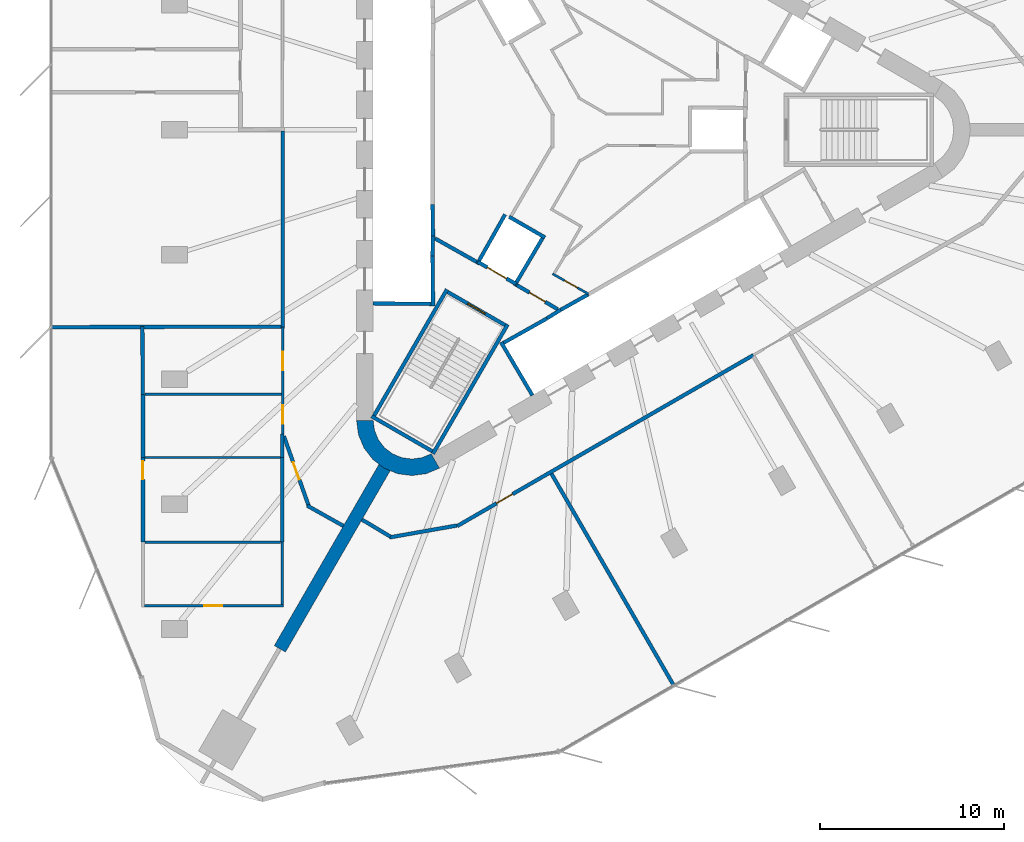
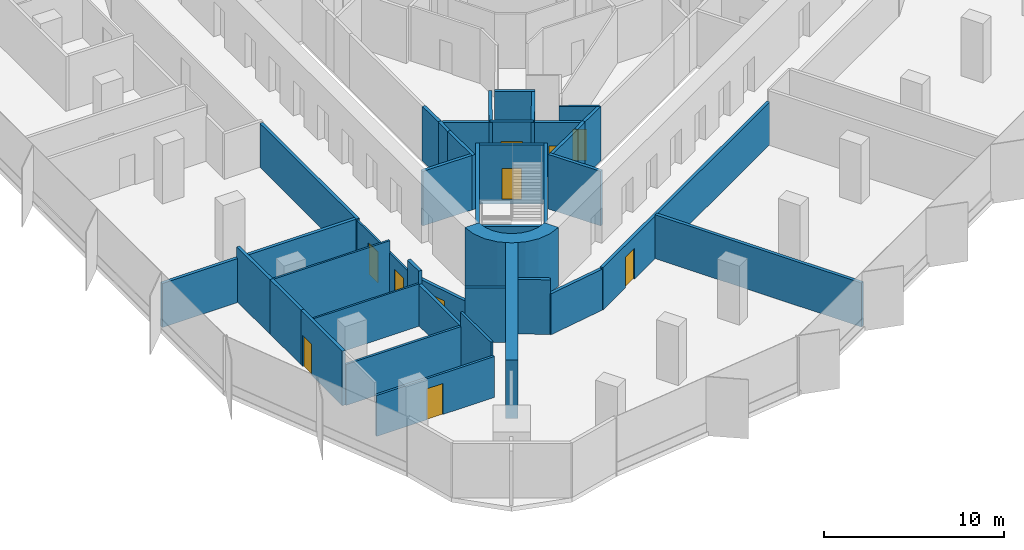
# One storey, part 8 of 14: 40 walls, 10 doors, 10 openings.
"""IFC4 building model written with IfcOpenShell, lengths in metres."""

from ifc_helpers import new_model, si_unit, direction, frame, frame_2d, origin, place, context, subcontext, project, spatial, polyline, rectangle, outline, extrude, material, layer, layer_set, type_object, element, fill, save


model = new_model("IFC4")

# Units and contexts
model_context = context("Model", 3, precision=1e-05, world=origin(), true_north=direction((0.0, 1.0)))
body_context = subcontext(model_context, "Body", "Model", "MODEL_VIEW")
ifc_project = project(units=[si_unit("LENGTHUNIT", "METRE"), si_unit("AREAUNIT", "SQUARE_METRE"), si_unit("VOLUMEUNIT", "CUBIC_METRE"), si_unit("PLANEANGLEUNIT", "RADIAN"), si_unit("MASSUNIT", "GRAM", prefix="KILO")], contexts=[model_context])

# Site, building, storey
site_placement = place(None, origin())
site = spatial("IfcSite", under=ifc_project, at=site_placement, CompositionType="ELEMENT")
building_placement = place(site_placement, origin())
building = spatial("IfcBuilding", under=site, at=building_placement, Name="Tanit Gate Tower", CompositionType="ELEMENT")
storey_placement = place(building_placement, frame((0.0, 0.0, 237.199951171875)))
storey = spatial("IfcBuildingStorey", under=building, at=storey_placement, Name="L53", CompositionType="ELEMENT", Elevation=237.199951171875)

# Walls
ifc_material_1 = material(Name="Concrete C50/60", Category="concrete")
ifc_layer_1 = layer(ifc_material_1, 0.699951171875)
ifc_layer_set_1 = layer_set([ifc_layer_1], Name="BUTTRESS FIN 700 C50/60")
wall_type_1 = type_object("IfcWallType", Name="BUTTRESS FIN 700 C50/60", PredefinedType="SHEAR", material=ifc_layer_set_1)
wall_1_placement = place(storey_placement, frame((-10.574951171875, -18.31640625, 0.0), z_axis=(0.0, 0.0, 1.0), x_axis=(-0.499996344484, -0.866027514288, 0.0)))
element("IfcWall", 1, at=wall_1_placement, inside=storey, type_object=wall_type_1, Name="BUTTRESS FIN", PredefinedType="SHEAR", context=body_context, shape_type="SweptSolid", body=[
    extrude(rectangle(XDim=11.3681640625, YDim=0.699951171875, at=frame_2d((5.68408203125, 0.0))), origin(), (0.0, 0.0, 1.0), 4.0),
])
ifc_material_2 = material(Name="Concrete C50/60", Category="concrete")
ifc_layer_2 = layer(ifc_material_2, 0.89990234375)
ifc_layer_set_2 = layer_set([ifc_layer_2], Name="CORE WALL 900 C50/60")
wall_type_2 = type_object("IfcWallType", Name="CORE WALL 900 C50/60", PredefinedType="SHEAR", material=ifc_layer_set_2)
wall_2_placement = place(storey_placement, origin())
element("IfcWall", 2, at=wall_2_placement, inside=storey, type_object=wall_type_2, Name="CORE WALL CORNER", PredefinedType="SHEAR", context=body_context, shape_type="SweptSolid", body=[
    extrude(outline(polyline([(-12.10009765625, -15.76171875), (-11.997802734375, -16.5380859375), (-11.697998046875, -17.26171875), (-11.22119140625, -17.883056640625), (-10.60009765625, -18.359619140625), (-9.87646484375, -18.659423828125), (-9.10009765625, -18.76171875), (-8.323486328125, -18.659423828125), (-7.60009765625, -18.359619140625), (-8.050048828125, -17.580322265625), (-8.556396484375, -17.7900390625), (-9.10009765625, -17.86181640625), (-9.6435546875, -17.7900390625), (-10.14990234375, -17.580322265625), (-10.5849609375, -17.24658203125), (-10.918701171875, -16.811767578125), (-11.12841796875, -16.30517578125), (-11.199951171875, -15.76171875), (-12.10009765625, -15.76171875)])), origin(), (0.0, 0.0, 1.0), 4.0),
])
ifc_material_3 = material(Name="Fire-rated gypsum board partition")
ifc_layer_3 = layer(ifc_material_3, 0.199951171875)
ifc_layer_set_3 = layer_set([ifc_layer_3], Name="INT-WALL-COMPARTMENT")
wall_type_3 = type_object("IfcWallType", Name="INT-WALL-COMPARTMENT", PredefinedType="PARTITIONING", material=ifc_layer_set_3)
wall_3_placement = place(storey_placement, frame((-7.84912109375, -5.893798828125, 0.0), z_axis=(0.0, 0.0, 1.0), x_axis=(0.871340486379, -0.490678873396, 0.0)))
element("IfcWall", 3, at=wall_3_placement, inside=storey, type_object=wall_type_3, Name="Wall Compartment W065", PredefinedType="PARTITIONING", context=body_context, shape_type="SweptSolid", body=[
    extrude(rectangle(XDim=2.580810546875, YDim=0.199951171875, at=frame_2d((1.29052734375, 0.0))), origin(), (0.0, 0.0, 1.0), 3.699951171875),
])

# Wall, opening, door
wall_4_placement = place(storey_placement, frame((-3.400634765625, -8.43017578125, 0.0), z_axis=(0.0, 0.0, 1.0), x_axis=(0.860598681535, -0.509283721849, 0.0)))
wall_4 = element("IfcWall", 4, at=wall_4_placement, inside=storey, type_object=wall_type_3, Name="Wall Compartment W066", PredefinedType="PARTITIONING", context=body_context, shape_type="SweptSolid", body=[
    extrude(rectangle(XDim=2.5810546875, YDim=0.199951171875, at=frame_2d((1.29052734375, 0.0))), origin(), (0.0, 0.0, 1.0), 3.699951171875),
])
opening_1_placement = place(wall_4_placement, frame((0.79052734375, 0.0, 0.0)))
opening_1 = element("IfcOpeningElement", 5, at=opening_1_placement, cuts=wall_4, Name="Opening F10-S14-08", PredefinedType="OPENING", context=body_context, shape_type="SweptSolid", body=[
    extrude(rectangle(XDim=1.0, YDim=2.10009765625, at=frame_2d((0.5, 1.050048828125))), frame((0.0, 0.10986328125, 0.0), z_axis=(0.0, -1.0, 0.0), x_axis=(1.0, 0.0, 0.0)), (0.0, 0.0, 1.0), 0.219970703125),
])
ifc_material_4 = material(Name="Fire-rated steel door leaf", Category="steel")
door_type_1 = type_object("IfcDoorType", Name="INT-DOOR-FIRE-1000", OperationType="NOTDEFINED", PredefinedType="USERDEFINED", material=ifc_material_4)
door_1_placement = place(opening_1_placement, origin())
door_1 = element("IfcDoor", 6, at=door_1_placement, inside=storey, type_object=door_type_1, Name="Door F10-S14-08", ObjectType="FIRE DOOR", OperationType="SINGLE_SWING_LEFT", OverallHeight=2.10009765625, OverallWidth=1.0, PredefinedType="USERDEFINED", context=body_context, shape_type="SweptSolid", body=[
    extrude(rectangle(XDim=1.0, YDim=2.10009765625, at=frame_2d((0.5, 1.050048828125))), frame((0.0, 0.02490234375, 0.0), z_axis=(0.0, -1.0, 0.0), x_axis=(1.0, 0.0, 0.0)), (0.0, 0.0, 1.0), 0.050048828125),
])
fill(opening_1, door_1)

# Wall
wall_5_placement = place(storey_placement, frame((-14.781005859375, -20.388671875, 0.0), z_axis=(0.0, 0.0, 1.0), x_axis=(0.871979734391, -0.489541972471, 0.0)))
element("IfcWall", 7, at=wall_5_placement, inside=storey, type_object=wall_type_3, Name="Wall Compartment W103", PredefinedType="PARTITIONING", context=body_context, shape_type="SweptSolid", body=[
    extrude(rectangle(XDim=2.256591796875, YDim=0.199951171875, at=frame_2d((1.12841796875, 0.0))), origin(), (0.0, 0.0, 1.0), 3.699951171875),
])

# Wall, opening, door
wall_6_placement = place(storey_placement, frame((-16.04248046875, -16.623046875, 0.0), z_axis=(0.0, 0.0, 1.0), x_axis=(0.335572111171, -0.942014521228, 0.0)))
wall_6 = element("IfcWall", 8, at=wall_6_placement, inside=storey, type_object=wall_type_3, Name="Wall Compartment W104", PredefinedType="PARTITIONING", context=body_context, shape_type="SweptSolid", body=[
    extrude(rectangle(XDim=4.00732421875, YDim=0.199951171875, at=frame_2d((2.003662109375, 0.0))), origin(), (0.0, 0.0, 1.0), 2.780029296875),
])
opening_2_placement = place(wall_6_placement, frame((1.503662109375, 0.0, 0.0)))
opening_2 = element("IfcOpeningElement", 9, at=opening_2_placement, cuts=wall_6, Name="Opening F10-S14-31", PredefinedType="OPENING", context=body_context, shape_type="SweptSolid", body=[
    extrude(rectangle(XDim=1.0, YDim=2.10009765625, at=frame_2d((0.5, 1.050048828125))), frame((0.0, 0.10986328125, 0.0), z_axis=(0.0, -1.0, 0.0), x_axis=(1.0, 0.0, 0.0)), (0.0, 0.0, 1.0), 0.219970703125),
])
door_2_placement = place(opening_2_placement, origin())
door_2 = element("IfcDoor", 10, at=door_2_placement, inside=storey, type_object=door_type_1, Name="Door F10-S14-31", ObjectType="FIRE DOOR", OperationType="SINGLE_SWING_RIGHT", OverallHeight=2.10009765625, OverallWidth=1.0, PredefinedType="USERDEFINED", context=body_context, shape_type="SweptSolid", body=[
    extrude(rectangle(XDim=1.0, YDim=2.10009765625, at=frame_2d((0.5, 1.050048828125))), frame((0.0, 0.02490234375, 0.0), z_axis=(0.0, -1.0, 0.0), x_axis=(1.0, 0.0, 0.0)), (0.0, 0.0, 1.0), 0.050048828125),
])
fill(opening_2, door_2)

# Wall
wall_7_placement = place(storey_placement, frame((-16.10009765625, -0.070068359375, 0.0), z_axis=(0.0, 0.0, 1.0), x_axis=(0.0, -1.0, 0.0)))
element("IfcWall", 11, at=wall_7_placement, inside=storey, type_object=wall_type_3, Name="Wall Compartment W105", PredefinedType="PARTITIONING", context=body_context, shape_type="SweptSolid", body=[
    extrude(rectangle(XDim=10.709716796875, YDim=0.199951171875, at=frame_2d((5.35498046875, 0.0))), origin(), (0.0, 0.0, 1.0), 2.97998046875),
])

# Wall, opening, door
wall_8_placement = place(storey_placement, frame((-6.64404296875, -21.5029296875, 0.0), z_axis=(0.0, 0.0, 1.0), x_axis=(0.866020815794, 0.500007946548, 0.0)))
wall_8 = element("IfcWall", 12, at=wall_8_placement, inside=storey, type_object=wall_type_3, Name="Wall Compartment W120", PredefinedType="PARTITIONING", context=body_context, shape_type="SweptSolid", body=[
    extrude(rectangle(XDim=18.555419921875, YDim=0.199951171875, at=frame_2d((9.27783203125, 0.0))), origin(), (0.0, 0.0, 1.0), 2.880126953125),
])
opening_3_placement = place(wall_8_placement, frame((2.476806640625, 0.0, 0.0)))
opening_3 = element("IfcOpeningElement", 13, at=opening_3_placement, cuts=wall_8, Name="Opening F10-S14-38", PredefinedType="OPENING", context=body_context, shape_type="SweptSolid", body=[
    extrude(rectangle(XDim=1.0, YDim=2.10009765625, at=frame_2d((0.5, 1.050048828125))), frame((0.0, 0.10986328125, 0.0), z_axis=(0.0, -1.0, 0.0), x_axis=(1.0, 0.0, 0.0)), (0.0, 0.0, 1.0), 0.219970703125),
])
door_3_placement = place(opening_3_placement, origin())
door_3 = element("IfcDoor", 14, at=door_3_placement, inside=storey, type_object=door_type_1, Name="Door F10-S14-38", ObjectType="FIRE DOOR", OperationType="SINGLE_SWING_LEFT", OverallHeight=2.10009765625, OverallWidth=1.0, PredefinedType="USERDEFINED", context=body_context, shape_type="SweptSolid", body=[
    extrude(rectangle(XDim=1.0, YDim=2.10009765625, at=frame_2d((0.5, 1.050048828125))), frame((0.0, 0.02490234375, 0.0), z_axis=(0.0, -1.0, 0.0), x_axis=(1.0, 0.0, 0.0)), (0.0, 0.0, 1.0), 0.050048828125),
])
fill(opening_3, door_3)

# Walls
wall_9_placement = place(storey_placement, frame((-10.33154296875, -22.118408203125, 0.0), z_axis=(0.0, 0.0, 1.0), x_axis=(0.984805281118, 0.173662195893, 0.0)))
element("IfcWall", 15, at=wall_9_placement, inside=storey, type_object=wall_type_3, Name="Wall Compartment W121", PredefinedType="PARTITIONING", context=body_context, shape_type="SweptSolid", body=[
    extrude(rectangle(XDim=3.732421875, YDim=0.199951171875, at=frame_2d((1.8662109375, 0.0))), origin(), (0.0, 0.0, 1.0), 2.780029296875),
])
wall_10_placement = place(storey_placement, frame((-11.807373046875, -21.15087890625, 0.0), z_axis=(0.0, 0.0, 1.0), x_axis=(0.859102811579, -0.511803047214, 0.0)))
element("IfcWall", 16, at=wall_10_placement, inside=storey, type_object=wall_type_3, Name="Wall Compartment W122", PredefinedType="PARTITIONING", context=body_context, shape_type="SweptSolid", body=[
    extrude(rectangle(XDim=1.8017578125, YDim=0.199951171875, at=frame_2d((0.90087890625, 0.0))), origin(), (0.0, 0.0, 1.0), 3.699951171875),
])
wall_11_placement = place(storey_placement, frame((-28.654296875, -10.710693359375, 0.0), z_axis=(0.0, 0.0, 1.0), x_axis=(0.999996949666, 0.002469951104, 0.0)))
element("IfcWall", 17, at=wall_11_placement, inside=storey, type_object=wall_type_3, Name="Wall Compartment W125", PredefinedType="PARTITIONING", context=body_context, shape_type="SweptSolid", body=[
    extrude(rectangle(XDim=12.454345703125, YDim=0.199951171875, at=frame_2d((6.22705078125, 0.0))), origin(), (0.0, 0.0, 1.0), 2.97998046875),
])
wall_12_placement = place(storey_placement, frame((-23.6904296875, -14.3505859375, 0.0), z_axis=(0.0, 0.0, 1.0), x_axis=(-0.008048698241, 0.999967608704, 0.0)))
element("IfcWall", 18, at=wall_12_placement, inside=storey, type_object=wall_type_3, Name="Wall Compartment W128", PredefinedType="PARTITIONING", context=body_context, shape_type="SweptSolid", body=[
    extrude(rectangle(XDim=3.670166015625, YDim=0.199951171875, at=frame_2d((1.8349609375, 0.0))), origin(), (0.0, 0.0, 1.0), 3.699951171875),
])

# Wall, opening, door
wall_13_placement = place(storey_placement, frame((-23.68994140625, -22.373046875, 0.0), z_axis=(0.0, 0.0, 1.0), x_axis=(0.0, 1.0, 0.0)))
wall_13 = element("IfcWall", 19, at=wall_13_placement, inside=storey, type_object=wall_type_3, Name="Wall Compartment W131", PredefinedType="PARTITIONING", context=body_context, shape_type="SweptSolid", body=[
    extrude(rectangle(XDim=4.60009765625, YDim=0.199951171875, at=frame_2d((2.300048828125, 0.0))), origin(), (0.0, 0.0, 1.0), 3.699951171875),
])
opening_4_placement = place(wall_13_placement, frame((3.400146484375, 0.0, 0.0)))
opening_4 = element("IfcOpeningElement", 20, at=opening_4_placement, cuts=wall_13, Name="Opening F10-S14-29", PredefinedType="OPENING", context=body_context, shape_type="SweptSolid", body=[
    extrude(rectangle(XDim=1.0, YDim=2.10009765625, at=frame_2d((0.5, 1.050048828125))), frame((0.0, 0.10986328125, 0.0), z_axis=(0.0, -1.0, 0.0), x_axis=(1.0, 0.0, 0.0)), (0.0, 0.0, 1.0), 0.219970703125),
])
door_4_placement = place(opening_4_placement, origin())
door_4 = element("IfcDoor", 21, at=door_4_placement, inside=storey, type_object=door_type_1, Name="Door F10-S14-29", ObjectType="FIRE DOOR", OperationType="SINGLE_SWING_LEFT", OverallHeight=2.10009765625, OverallWidth=1.0, PredefinedType="USERDEFINED", context=body_context, shape_type="SweptSolid", body=[
    extrude(rectangle(XDim=1.0, YDim=2.10009765625, at=frame_2d((0.5, 1.050048828125))), frame((0.0, 0.02490234375, 0.0), z_axis=(0.0, -1.0, 0.0), x_axis=(1.0, 0.0, 0.0)), (0.0, 0.0, 1.0), 0.050048828125),
])
fill(opening_4, door_4)

# Walls
wall_14_placement = place(storey_placement, frame((-23.68994140625, -17.77294921875, 0.0), z_axis=(0.0, 0.0, 1.0), x_axis=(0.0, 1.0, 0.0)))
element("IfcWall", 22, at=wall_14_placement, inside=storey, type_object=wall_type_3, Name="Wall Compartment W129", PredefinedType="PARTITIONING", context=body_context, shape_type="SweptSolid", body=[
    extrude(rectangle(XDim=3.42236328125, YDim=0.199951171875, at=frame_2d((1.711181640625, 0.0))), origin(), (0.0, 0.0, 1.0), 3.699951171875),
])
wall_15_placement = place(storey_placement, frame((-16.1298828125, -22.373046875, 0.0), z_axis=(0.0, 0.0, 1.0), x_axis=(0.0, 1.0, 0.0)))
element("IfcWall", 23, at=wall_15_placement, inside=storey, type_object=wall_type_3, Name="Wall Compartment W132", PredefinedType="PARTITIONING", context=body_context, shape_type="SweptSolid", body=[
    extrude(rectangle(XDim=4.60009765625, YDim=0.199951171875, at=frame_2d((2.300048828125, 0.0))), origin(), (0.0, 0.0, 1.0), 2.780029296875),
])
wall_16_placement = place(storey_placement, frame((-16.1298828125, -17.77294921875, 0.0), z_axis=(0.0, 0.0, 1.0), x_axis=(0.0, 1.0, 0.0)))
element("IfcWall", 24, at=wall_16_placement, inside=storey, type_object=wall_type_3, Name="Wall Compartment W130", PredefinedType="PARTITIONING", context=body_context, shape_type="SweptSolid", body=[
    extrude(rectangle(XDim=1.26025390625, YDim=0.199951171875, at=frame_2d((0.630126953125, 0.0))), origin(), (0.0, 0.0, 1.0), 3.699951171875),
])
wall_17_placement = place(storey_placement, frame((5.104248046875, -30.14208984375, 0.0), z_axis=(0.0, 0.0, 1.0), x_axis=(-0.500068930226, 0.865985603242, 0.0)))
element("IfcWall", 25, at=wall_17_placement, inside=storey, type_object=wall_type_3, Name="Wall Compartment W152", PredefinedType="PARTITIONING", context=body_context, shape_type="SweptSolid", body=[
    extrude(rectangle(XDim=13.256103515625, YDim=0.199951171875, at=frame_2d((6.6279296875, 0.0))), origin(), (0.0, 0.0, 1.0), 2.97998046875),
])

# Wall, opening, door
ifc_material_5 = material(Name="Gypsum board partition")
ifc_layer_4 = layer(ifc_material_5, 0.1201171875)
ifc_layer_set_4 = layer_set([ifc_layer_4], Name="INT-WALL-PARTITION")
wall_type_4 = type_object("IfcWallType", Name="INT-WALL-PARTITION", PredefinedType="PARTITIONING", material=ifc_layer_set_4)
wall_18_placement = place(storey_placement, frame((-1.464111328125, -7.81591796875, 0.0), z_axis=(0.0, 0.0, 1.0), x_axis=(0.871880202732, -0.489719217597, 0.0)))
wall_18 = element("IfcWall", 26, at=wall_18_placement, inside=storey, type_object=wall_type_4, Name="Wall Partition W071", PredefinedType="PARTITIONING", context=body_context, shape_type="SweptSolid", body=[
    extrude(rectangle(XDim=2.224365234375, YDim=0.1201171875, at=frame_2d((1.1123046875, 0.0))), origin(), (0.0, 0.0, 1.0), 3.699951171875),
])
opening_5_placement = place(wall_18_placement, frame((0.7421875, 0.0, 0.0)))
opening_5 = element("IfcOpeningElement", 27, at=opening_5_placement, cuts=wall_18, Name="Opening R08-S14-11", PredefinedType="OPENING", context=body_context, shape_type="SweptSolid", body=[
    extrude(rectangle(XDim=0.800048828125, YDim=2.10009765625, at=frame_2d((0.39990234375, 1.050048828125))), frame((0.0, 0.070068359375, 0.0), z_axis=(0.0, -1.0, 0.0), x_axis=(1.0, 0.0, 0.0)), (0.0, 0.0, 1.0), 0.14013671875),
])
ifc_material_6 = material(Name="Timber door leaf", Category="wood")
door_type_2 = type_object("IfcDoorType", Name="INT-DOOR-RISER-800", OperationType="NOTDEFINED", PredefinedType="USERDEFINED", material=ifc_material_6)
door_5_placement = place(opening_5_placement, origin())
door_5 = element("IfcDoor", 28, at=door_5_placement, inside=storey, type_object=door_type_2, Name="Door R08-S14-11", ObjectType="FIRE DOOR", OperationType="SINGLE_SWING_LEFT", OverallHeight=2.10009765625, OverallWidth=0.800048828125, PredefinedType="USERDEFINED", context=body_context, shape_type="SweptSolid", body=[
    extrude(rectangle(XDim=0.800048828125, YDim=2.10009765625, at=frame_2d((0.39990234375, 1.050048828125))), frame((0.0, 0.02490234375, 0.0), z_axis=(0.0, -1.0, 0.0), x_axis=(1.0, 0.0, 0.0)), (0.0, 0.0, 1.0), 0.050048828125),
])
fill(opening_5, door_5)

# Wall, openings, doors
wall_19_placement = place(storey_placement, frame((-16.10009765625, -10.709716796875, 0.0), z_axis=(0.0, 0.0, 1.0), x_axis=(0.0, -1.0, 0.0)))
wall_19 = element("IfcWall", 29, at=wall_19_placement, inside=storey, type_object=wall_type_4, Name="Wall Partition W106", PredefinedType="PARTITIONING", context=body_context, shape_type="SweptSolid", body=[
    extrude(rectangle(XDim=5.802978515625, YDim=0.1201171875, at=frame_2d((2.9013671875, 0.0))), origin(), (0.0, 0.0, 1.0), 2.880126953125),
])
opening_6_placement = place(wall_19_placement, frame((1.335205078125, 0.0, 0.0)))
opening_6 = element("IfcOpeningElement", 30, at=opening_6_placement, cuts=wall_19, Name="Opening D10-S14-27", PredefinedType="OPENING", context=body_context, shape_type="SweptSolid", body=[
    extrude(rectangle(XDim=1.0, YDim=2.10009765625, at=frame_2d((0.5, 1.050048828125))), frame((0.0, 0.070068359375, 0.0), z_axis=(0.0, -1.0, 0.0), x_axis=(1.0, 0.0, 0.0)), (0.0, 0.0, 1.0), 0.14013671875),
])
opening_7_placement = place(wall_19_placement, frame((4.23681640625, 0.0, 0.0)))
opening_7 = element("IfcOpeningElement", 31, at=opening_7_placement, cuts=wall_19, Name="Opening D10-S14-28", PredefinedType="OPENING", context=body_context, shape_type="SweptSolid", body=[
    extrude(rectangle(XDim=1.0, YDim=2.10009765625, at=frame_2d((0.5, 1.050048828125))), frame((0.0, 0.070068359375, 0.0), z_axis=(0.0, -1.0, 0.0), x_axis=(1.0, 0.0, 0.0)), (0.0, 0.0, 1.0), 0.14013671875),
])
ifc_material_7 = material(Name="Timber door leaf", Category="wood")
door_type_3 = type_object("IfcDoorType", Name="INT-DOOR-SINGLE-1000", OperationType="NOTDEFINED", PredefinedType="NOTDEFINED", material=ifc_material_7)
door_6_placement = place(opening_6_placement, origin())
door_6 = element("IfcDoor", 32, at=door_6_placement, inside=storey, type_object=door_type_3, Name="Door D10-S14-27", OperationType="SINGLE_SWING_RIGHT", OverallHeight=2.10009765625, OverallWidth=1.0, PredefinedType="NOTDEFINED", context=body_context, shape_type="SweptSolid", body=[
    extrude(rectangle(XDim=1.0, YDim=2.10009765625, at=frame_2d((0.5, 1.050048828125))), frame((0.0, 0.02490234375, 0.0), z_axis=(0.0, -1.0, 0.0), x_axis=(1.0, 0.0, 0.0)), (0.0, 0.0, 1.0), 0.050048828125),
])
fill(opening_6, door_6)
door_7_placement = place(opening_7_placement, origin())
door_7 = element("IfcDoor", 33, at=door_7_placement, inside=storey, type_object=door_type_3, Name="Door D10-S14-28", OperationType="SINGLE_SWING_LEFT", OverallHeight=2.10009765625, OverallWidth=1.0, PredefinedType="NOTDEFINED", context=body_context, shape_type="SweptSolid", body=[
    extrude(rectangle(XDim=1.0, YDim=2.10009765625, at=frame_2d((0.5, 1.050048828125))), frame((0.0, 0.02490234375, 0.0), z_axis=(0.0, -1.0, 0.0), x_axis=(1.0, 0.0, 0.0)), (0.0, 0.0, 1.0), 0.050048828125),
])
fill(opening_7, door_7)

# Walls
wall_20_placement = place(storey_placement, frame((-23.590087890625, -14.3505859375, 0.0), z_axis=(0.0, 0.0, 1.0), x_axis=(1.0, 0.0, 0.0)))
element("IfcWall", 34, at=wall_20_placement, inside=storey, type_object=wall_type_4, Name="Wall Partition W157", PredefinedType="PARTITIONING", context=body_context, shape_type="SweptSolid", body=[
    extrude(rectangle(XDim=7.460205078125, YDim=0.1201171875, at=frame_2d((3.72998046875, 0.0))), origin(), (0.0, 0.0, 1.0), 3.699951171875),
])
wall_21_placement = place(storey_placement, frame((-16.22998046875, -17.77294921875, 0.0), z_axis=(0.0, 0.0, 1.0), x_axis=(-1.0, 0.0, 0.0)))
element("IfcWall", 35, at=wall_21_placement, inside=storey, type_object=wall_type_4, Name="Wall Partition W158", PredefinedType="PARTITIONING", context=body_context, shape_type="SweptSolid", body=[
    extrude(rectangle(XDim=7.360107421875, YDim=0.1201171875, at=frame_2d((3.68017578125, 0.0))), origin(), (0.0, 0.0, 1.0), 2.880126953125),
])

# Wall, opening, door
ifc_material_8 = material(Name="Fire-rated gypsum board partition")
ifc_layer_5 = layer(ifc_material_8, 0.14990234375)
ifc_layer_set_5 = layer_set([ifc_layer_5], Name="INT-WALL-RISER")
wall_type_5 = type_object("IfcWallType", Name="INT-WALL-RISER", PredefinedType="PLUMBINGWALL", material=ifc_layer_set_5)
wall_22_placement = place(storey_placement, frame((-23.614990234375, -25.820068359375, 0.0), z_axis=(0.0, 0.0, 1.0), x_axis=(1.0, 0.0, 0.0)))
wall_22 = element("IfcWall", 36, at=wall_22_placement, inside=storey, type_object=wall_type_5, Name="Wall Riser W134", PredefinedType="PLUMBINGWALL", context=body_context, shape_type="SweptSolid", body=[
    extrude(rectangle(XDim=7.56005859375, YDim=0.14990234375, at=frame_2d((3.780029296875, 0.0))), origin(), (0.0, 0.0, 1.0), 2.780029296875),
])
opening_8_placement = place(wall_22_placement, frame((3.242431640625, 0.0, 0.0)))
opening_8 = element("IfcOpeningElement", 37, at=opening_8_placement, cuts=wall_22, Name="Opening F10-S14-30", PredefinedType="OPENING", context=body_context, shape_type="SweptSolid", body=[
    extrude(rectangle(XDim=1.0, YDim=2.10009765625, at=frame_2d((0.5, 1.050048828125))), frame((0.0, 0.0849609375, 0.0), z_axis=(0.0, -1.0, 0.0), x_axis=(1.0, 0.0, 0.0)), (0.0, 0.0, 1.0), 0.169921875),
])
door_8_placement = place(opening_8_placement, origin())
door_8 = element("IfcDoor", 38, at=door_8_placement, inside=storey, type_object=door_type_1, Name="Door F10-S14-30", ObjectType="FIRE DOOR", OperationType="SINGLE_SWING_LEFT", OverallHeight=2.10009765625, OverallWidth=1.0, PredefinedType="USERDEFINED", context=body_context, shape_type="SweptSolid", body=[
    extrude(rectangle(XDim=1.0, YDim=2.10009765625, at=frame_2d((0.5, 1.050048828125))), frame((0.0, 0.02490234375, 0.0), z_axis=(0.0, -1.0, 0.0), x_axis=(1.0, 0.0, 0.0)), (0.0, 0.0, 1.0), 0.050048828125),
])
fill(opening_8, door_8)

# Walls
wall_23_placement = place(storey_placement, frame((-16.1298828125, -25.7451171875, 0.0), z_axis=(0.0, 0.0, 1.0), x_axis=(0.0, 1.0, 0.0)))
element("IfcWall", 39, at=wall_23_placement, inside=storey, type_object=wall_type_5, Name="Wall Riser W135", PredefinedType="PLUMBINGWALL", context=body_context, shape_type="SweptSolid", body=[
    extrude(rectangle(XDim=3.3720703125, YDim=0.14990234375, at=frame_2d((1.68603515625, 0.0))), origin(), (0.0, 0.0, 1.0), 3.699951171875),
])
wall_24_placement = place(storey_placement, frame((-23.590087890625, -22.38037109375, 0.0), z_axis=(0.0, 0.0, 1.0), x_axis=(1.0, 0.0, 0.0)))
element("IfcWall", 40, at=wall_24_placement, inside=storey, type_object=wall_type_5, Name="Wall Riser W159", PredefinedType="PLUMBINGWALL", context=body_context, shape_type="SweptSolid", body=[
    extrude(rectangle(XDim=7.360107421875, YDim=0.14990234375, at=frame_2d((3.68017578125, 0.0))), origin(), (0.0, 0.0, 1.0), 2.780029296875),
])
ifc_material_9 = material(Name="Gypsum shaft wall system")
ifc_layer_6 = layer(ifc_material_9, 0.199951171875)
ifc_layer_set_6 = layer_set([ifc_layer_6], Name="INT-WALL-SHAFT")
wall_type_6 = type_object("IfcWallType", Name="INT-WALL-SHAFT", PredefinedType="PLUMBINGWALL", material=ifc_layer_set_6)
wall_25_placement = place(storey_placement, frame((-7.949951171875, -5.7724609375, 0.0), z_axis=(0.0, 0.0, 1.0), x_axis=(-0.030803413295, -0.999525462272, 0.0)))
element("IfcWall", 41, at=wall_25_placement, inside=storey, type_object=wall_type_6, Name="Wall Shaft W008", PredefinedType="PLUMBINGWALL", context=body_context, shape_type="SweptSolid", body=[
    extrude(rectangle(XDim=1.077880859375, YDim=0.199951171875, at=frame_2d((0.5390625, 0.0))), origin(), (0.0, 0.0, 1.0), 3.699951171875),
])
wall_26_placement = place(storey_placement, frame((-7.97998046875, -4.050048828125, 0.0), z_axis=(0.0, 0.0, 1.0), x_axis=(0.016809909365, -0.999858703491, 0.0)))
element("IfcWall", 42, at=wall_26_placement, inside=storey, type_object=wall_type_6, Name="Wall Shaft W009", PredefinedType="PLUMBINGWALL", context=body_context, shape_type="SweptSolid", body=[
    extrude(rectangle(XDim=1.844482421875, YDim=0.199951171875, at=frame_2d((0.92236328125, 0.0))), origin(), (0.0, 0.0, 1.0), 3.699951171875),
])
wall_27_placement = place(storey_placement, frame((-7.97900390625, -6.85009765625, 0.0), z_axis=(0.0, 0.0, 1.0), x_axis=(0.011121475088, -0.999938154483, 0.0)))
element("IfcWall", 43, at=wall_27_placement, inside=storey, type_object=wall_type_6, Name="Wall Shaft W010", PredefinedType="PLUMBINGWALL", context=body_context, shape_type="SweptSolid", body=[
    extrude(rectangle(XDim=2.7001953125, YDim=0.199951171875, at=frame_2d((1.35009765625, 0.0))), origin(), (0.0, 0.0, 1.0), 3.699951171875),
])
wall_28_placement = place(storey_placement, frame((-8.050048828125, -9.448974609375, 0.0), z_axis=(0.0, 0.0, 1.0), x_axis=(-0.999957467379, 0.009222983926, 0.0)))
element("IfcWall", 44, at=wall_28_placement, inside=storey, type_object=wall_type_6, Name="Wall Shaft W011", PredefinedType="PLUMBINGWALL", context=body_context, shape_type="SweptSolid", body=[
    extrude(rectangle(XDim=3.150146484375, YDim=0.199951171875, at=frame_2d((1.5751953125, 0.0))), origin(), (0.0, 0.0, 1.0), 3.699951171875),
])
wall_29_placement = place(storey_placement, frame((-2.557861328125, -14.409423828125, 0.0), z_axis=(0.0, 0.0, 1.0), x_axis=(-0.507997497166, 0.861358544901, 0.0)))
element("IfcWall", 45, at=wall_29_placement, inside=storey, type_object=wall_type_6, Name="Wall Shaft W019", PredefinedType="PLUMBINGWALL", context=body_context, shape_type="SweptSolid", body=[
    extrude(rectangle(XDim=3.350341796875, YDim=0.199951171875, at=frame_2d((1.67529296875, 0.0))), origin(), (0.0, 0.0, 1.0), 3.699951171875),
])
wall_30_placement = place(storey_placement, frame((-1.7685546875, -10.23681640625, 0.0), z_axis=(0.0, 0.0, 1.0), x_axis=(-0.871534483978, -0.490334215854, 0.0)))
element("IfcWall", 46, at=wall_30_placement, inside=storey, type_object=wall_type_6, Name="Wall Shaft W020", PredefinedType="PLUMBINGWALL", context=body_context, shape_type="SweptSolid", body=[
    extrude(rectangle(XDim=2.7001953125, YDim=0.199951171875, at=frame_2d((1.35009765625, 0.0))), origin(), (0.0, 0.0, 1.0), 3.699951171875),
])
wall_31_placement = place(storey_placement, frame((-1.02392578125, -9.77099609375, 0.0), z_axis=(0.0, 0.0, 1.0), x_axis=(-0.850348075135, -0.526220629693, 0.0)))
element("IfcWall", 47, at=wall_31_placement, inside=storey, type_object=wall_type_6, Name="Wall Shaft W021", PredefinedType="PLUMBINGWALL", context=body_context, shape_type="SweptSolid", body=[
    extrude(rectangle(XDim=0.878173828125, YDim=0.199951171875, at=frame_2d((0.43896484375, 0.0))), origin(), (0.0, 0.0, 1.0), 3.699951171875),
])
wall_32_placement = place(storey_placement, frame((-1.13037109375, -9.83154296875, 0.0), z_axis=(0.0, 0.0, 1.0), x_axis=(0.871988740738, 0.489525929882, 0.0)))
element("IfcWall", 48, at=wall_32_placement, inside=storey, type_object=wall_type_6, Name="Wall Shaft W022", PredefinedType="PLUMBINGWALL", context=body_context, shape_type="SweptSolid", body=[
    extrude(rectangle(XDim=1.8447265625, YDim=0.199951171875, at=frame_2d((0.92236328125, 0.0))), origin(), (0.0, 0.0, 1.0), 3.699951171875),
])

# Wall, opening, door
wall_33_placement = place(storey_placement, frame((-3.44580078125, -8.3681640625, 0.0), z_axis=(0.0, 0.0, 1.0), x_axis=(-0.866024647952, 0.500001309137, 0.0)))
wall_33 = element("IfcWall", 49, at=wall_33_placement, inside=storey, type_object=wall_type_6, Name="Wall Shaft W045", PredefinedType="PLUMBINGWALL", context=body_context, shape_type="SweptSolid", body=[
    extrude(rectangle(XDim=2.39990234375, YDim=0.199951171875, at=frame_2d((1.199951171875, 0.0))), origin(), (0.0, 0.0, 1.0), 3.699951171875),
])
opening_9_placement = place(wall_33_placement, frame((0.60009765625, 0.0, 0.0)))
opening_9 = element("IfcOpeningElement", 50, at=opening_9_placement, cuts=wall_33, Name="Opening LDFL3-L53", PredefinedType="OPENING", context=body_context, shape_type="SweptSolid", body=[
    extrude(rectangle(XDim=1.199951171875, YDim=2.39990234375, at=frame_2d((0.60009765625, 1.199951171875))), frame((0.0, 0.10986328125, 0.0), z_axis=(0.0, -1.0, 0.0), x_axis=(1.0, 0.0, 0.0)), (0.0, 0.0, 1.0), 0.219970703125),
])
ifc_material_10 = material(Name="Stainless steel sliding door leaf", Category="steel")
door_type_4 = type_object("IfcDoorType", Name="INT-DOOR-LANDING-1200", OperationType="NOTDEFINED", PredefinedType="USERDEFINED", material=ifc_material_10)
door_9_placement = place(opening_9_placement, origin())
door_9 = element("IfcDoor", 51, at=door_9_placement, inside=storey, type_object=door_type_4, Name="Door LDFL3-L53", ObjectType="LANDING DOOR", OperationType="SLIDING_TO_LEFT", OverallHeight=2.39990234375, OverallWidth=1.199951171875, PredefinedType="USERDEFINED", context=body_context, shape_type="SweptSolid", body=[
    extrude(rectangle(XDim=1.199951171875, YDim=2.39990234375, at=frame_2d((0.60009765625, 1.199951171875))), frame((0.0, 0.02490234375, 0.0), z_axis=(0.0, -1.0, 0.0), x_axis=(1.0, 0.0, 0.0)), (0.0, 0.0, 1.0), 0.050048828125),
])
fill(opening_9, door_9)

# Walls
wall_34_placement = place(storey_placement, frame((-5.5625, -7.29638671875, 0.0), z_axis=(0.0, 0.0, 1.0), x_axis=(0.491322718731, 0.870977603649, 0.0)))
element("IfcWall", 52, at=wall_34_placement, inside=storey, type_object=wall_type_6, Name="Wall Shaft W046", PredefinedType="PLUMBINGWALL", context=body_context, shape_type="SweptSolid", body=[
    extrude(rectangle(XDim=3.10009765625, YDim=0.199951171875, at=frame_2d((1.550048828125, 0.0))), origin(), (0.0, 0.0, 1.0), 3.699951171875),
])
wall_35_placement = place(storey_placement, frame((-3.82666015625, -4.718994140625, 0.0), z_axis=(0.0, 0.0, 1.0), x_axis=(0.866028691075, -0.499994306202, 0.0)))
element("IfcWall", 53, at=wall_35_placement, inside=storey, type_object=wall_type_6, Name="Wall Shaft W047", PredefinedType="PLUMBINGWALL", context=body_context, shape_type="SweptSolid", body=[
    extrude(rectangle(XDim=2.25439453125, YDim=0.199951171875, at=frame_2d((1.127197265625, 0.0))), origin(), (0.0, 0.0, 1.0), 3.699951171875),
])
wall_36_placement = place(storey_placement, frame((-2.01171875, -5.88232421875, 0.0), z_axis=(0.0, 0.0, 1.0), x_axis=(-0.508619639323, -0.860991325447, 0.0)))
element("IfcWall", 54, at=wall_36_placement, inside=storey, type_object=wall_type_6, Name="Wall Shaft W048", PredefinedType="PLUMBINGWALL", context=body_context, shape_type="SweptSolid", body=[
    extrude(rectangle(XDim=3.0, YDim=0.199951171875, at=frame_2d((1.5, 0.0))), origin(), (0.0, 0.0, 1.0), 3.699951171875),
])
ifc_material_11 = material(Name="Concrete C40/50", Category="concrete")
ifc_layer_7 = layer(ifc_material_11, 0.199951171875)
ifc_layer_set_7 = layer_set([ifc_layer_7], Name="INT-WALL-STAIR")
wall_type_7 = type_object("IfcWallType", Name="INT-WALL-STAIR", PredefinedType="SHEAR", material=ifc_layer_set_7)
wall_37_placement = place(storey_placement, frame((-3.904541015625, -10.56298828125, -0.300048828125), z_axis=(0.0, 0.0, 1.0), x_axis=(-0.500012932018, -0.866017937352, 0.0)))
element("IfcWall", 55, at=wall_37_placement, inside=storey, type_object=wall_type_7, Name="Wall Stair W041", PredefinedType="SHEAR", context=body_context, shape_type="SweptSolid", body=[
    extrude(rectangle(XDim=8.099853515625, YDim=0.199951171875, at=frame_2d((4.0498046875, 0.0))), origin(), (0.0, 0.0, 1.0), 4.0),
])
wall_38_placement = place(storey_placement, frame((-11.281982421875, -15.541015625, -0.300048828125), z_axis=(0.0, 0.0, 1.0), x_axis=(0.866000483506, -0.500043160704, 0.0)))
element("IfcWall", 56, at=wall_38_placement, inside=storey, type_object=wall_type_7, Name="Wall Stair W042", PredefinedType="SHEAR", context=body_context, shape_type="SweptSolid", body=[
    extrude(rectangle(XDim=3.800048828125, YDim=0.199951171875, at=frame_2d((1.89990234375, 0.0))), origin(), (0.0, 0.0, 1.0), 4.0),
])
wall_39_placement = place(storey_placement, frame((-7.195556640625, -8.662841796875, -0.300048828125), z_axis=(0.0, 0.0, 1.0), x_axis=(-0.499997992926, -0.866026562566, 0.0)))
element("IfcWall", 57, at=wall_39_placement, inside=storey, type_object=wall_type_7, Name="Wall Stair W043", PredefinedType="SHEAR", context=body_context, shape_type="SweptSolid", body=[
    extrude(rectangle(XDim=7.89990234375, YDim=0.199951171875, at=frame_2d((3.949951171875, 0.0))), origin(), (0.0, 0.0, 1.0), 4.0),
])

# Wall, opening, door
wall_40_placement = place(storey_placement, frame((-4.041259765625, -10.599365234375, -0.300048828125), z_axis=(0.0, 0.0, 1.0), x_axis=(-0.866047807691, 0.499961193289, 0.0)))
wall_40 = element("IfcWall", 58, at=wall_40_placement, inside=storey, type_object=wall_type_7, Name="Wall Stair W044", PredefinedType="SHEAR", context=body_context, shape_type="SweptSolid", body=[
    extrude(rectangle(XDim=3.599853515625, YDim=0.199951171875, at=frame_2d((1.7998046875, 0.0))), origin(), (0.0, 0.0, 1.0), 4.0),
])
opening_10_placement = place(wall_40_placement, frame((1.25, 0.0, 0.300048828125)))
opening_10 = element("IfcOpeningElement", 59, at=opening_10_placement, cuts=wall_40, Name="Opening S11-S14-07", PredefinedType="OPENING", context=body_context, shape_type="SweptSolid", body=[
    extrude(rectangle(XDim=1.10009765625, YDim=2.10009765625, at=frame_2d((0.550048828125, 1.050048828125))), frame((0.0, 0.10986328125, 0.0), z_axis=(0.0, -1.0, 0.0), x_axis=(1.0, 0.0, 0.0)), (0.0, 0.0, 1.0), 0.219970703125),
])
ifc_material_12 = material(Name="Timber door leaf", Category="wood")
door_type_5 = type_object("IfcDoorType", Name="INT-DOOR-STAIR-1100", OperationType="NOTDEFINED", PredefinedType="USERDEFINED", material=ifc_material_12)
door_10_placement = place(opening_10_placement, origin())
door_10 = element("IfcDoor", 60, at=door_10_placement, inside=storey, type_object=door_type_5, Name="Door S11-S14-07", ObjectType="FIRE DOOR", OperationType="SINGLE_SWING_LEFT", OverallHeight=2.10009765625, OverallWidth=1.10009765625, PredefinedType="USERDEFINED", context=body_context, shape_type="SweptSolid", body=[
    extrude(rectangle(XDim=1.10009765625, YDim=2.10009765625, at=frame_2d((0.550048828125, 1.050048828125))), frame((0.0, 0.02490234375, 0.0), z_axis=(0.0, -1.0, 0.0), x_axis=(1.0, 0.0, 0.0)), (0.0, 0.0, 1.0), 0.050048828125),
])
fill(opening_10, door_10)

save(model, "model.ifc")
